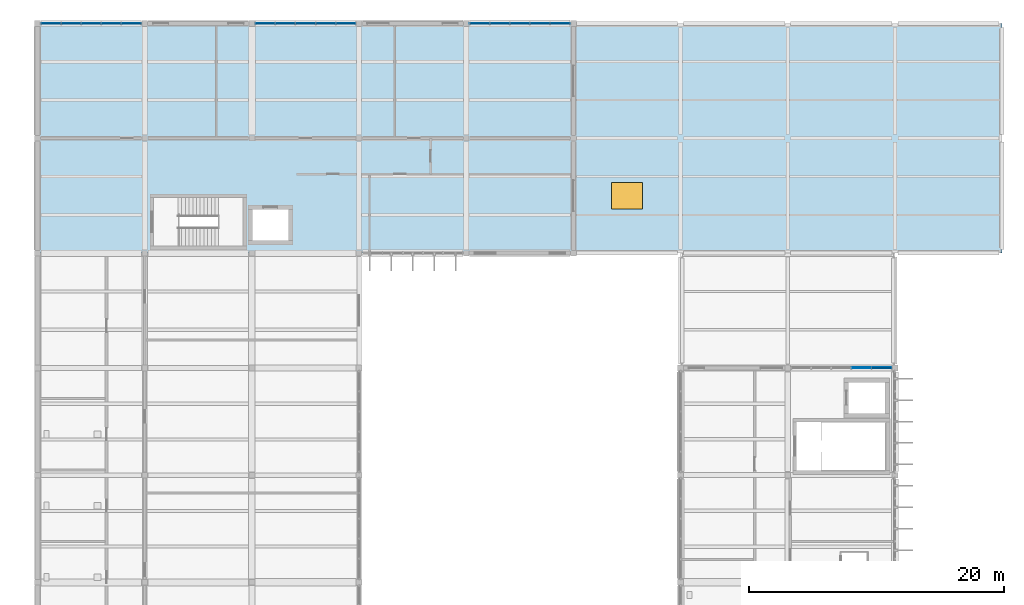
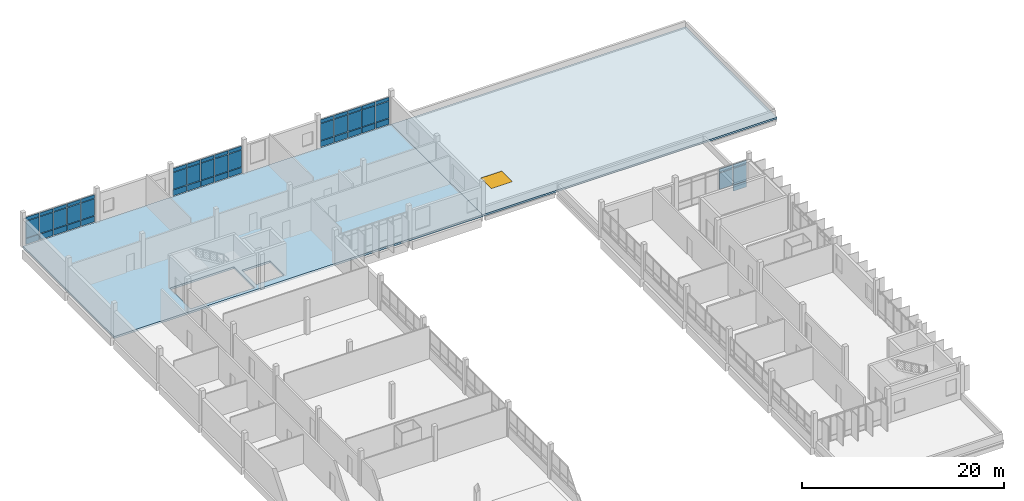
# One storey, part 48 of 62: 50 plates, 2 slabs, 1 window, 3 openings, 4 elements without a shape of their own.
"""IFC4 building model written with IfcOpenShell, lengths in metres."""

from ifc_helpers import new_model, si_unit, direction, frame, origin, origin_2d, place, context, subcontext, project, spatial, polyline, rectangle, outline, extrude, material, layer, layer_set, type_object, element, fill, aggregate, save


model = new_model("IFC4")

# Units and contexts
model_context = context("Model", 3, precision=1e-05, world=origin(), true_north=direction((0.0, 1.0)))
body_context = subcontext(model_context, "Body", "Model", "MODEL_VIEW")
ifc_project = project(units=[si_unit("LENGTHUNIT", "METRE"), si_unit("AREAUNIT", "SQUARE_METRE"), si_unit("VOLUMEUNIT", "CUBIC_METRE"), si_unit("PLANEANGLEUNIT", "RADIAN"), si_unit("MASSUNIT", "GRAM", prefix="KILO")], contexts=[model_context])

# Site, building, storey
site_placement = place(None, origin())
site = spatial("IfcSite", under=ifc_project, at=site_placement, CompositionType="ELEMENT")
building_placement = place(site_placement, origin())
building = spatial("IfcBuilding", under=site, at=building_placement, Name="Vireocrest Preparatory School", CompositionType="ELEMENT")
storey_placement = place(building_placement, frame((0.0, 0.0, 17.39990234375)))
storey = spatial("IfcBuildingStorey", under=building, at=storey_placement, Name="L04", CompositionType="ELEMENT", Elevation=17.39990234375)

# Curtain wall, plates
ifc_material_1 = material(Name="Thermally broken aluminium EN AW-6063-T6", Category="aluminium")
ifc_layer_1 = layer(ifc_material_1, 0.179931640625)
ifc_layer_set_1 = layer_set([ifc_layer_1], Name="Thermally broken aluminium EN AW-6063-T6")
curtain_wall_type_1 = type_object("IfcCurtainWallType", Name="North Street Curtain Wall 8400x4000", PredefinedType="USERDEFINED", material=ifc_layer_set_1)
curtain_wall_1_placement = place(storey_placement, origin())
curtain_wall_1 = element("IfcCurtainWall", 1, at=curtain_wall_1_placement, inside=storey, type_object=curtain_wall_type_1, Name="Curtain Wall CW05 CW_L04_CW05_0422_1128_174", ObjectType="CURTAIN WALL", PredefinedType="USERDEFINED")
ifc_material_2 = material(Name="Insulated triple low-e tempered safety glass", Category="glass")
ifc_layer_2 = layer(ifc_material_2, 0.074951171875)
ifc_layer_set_2 = layer_set([ifc_layer_2], Name="Insulated triple low-e tempered safety glass")
plate_type_1 = type_object("IfcPlateType", Name="Acoustic Triple-Glazed Lab Curtain Panel 75", PredefinedType="CURTAIN_PANEL", material=ifc_layer_set_2)
plate_1_placement = place(storey_placement, frame((43.048095703125, 112.800048828125, 0.8828125), z_axis=(0.0, 0.0, 1.0), x_axis=(1.0, 0.0, 0.0)))
plate_1 = element("IfcPlate", 2, at=plate_1_placement, type_object=plate_type_1, Name="CW Panel GL2 CW_L04_CW05_0422_1128_174-1-2", PredefinedType="CURTAIN_PANEL", context=body_context, shape_type="SweptSolid", body=[
    extrude(rectangle(XDim=1.510986328125, YDim=0.074951171875, at=origin_2d()), origin(), (0.0, 0.0, 1.0), 2.014892578125),
])
plate_2_placement = place(storey_placement, frame((43.048095703125, 112.800048828125, 2.96240234375), z_axis=(0.0, 0.0, 1.0), x_axis=(1.0, 0.0, 0.0)))
plate_2 = element("IfcPlate", 3, at=plate_2_placement, type_object=plate_type_1, Name="CW Panel GL2 CW_L04_CW05_0422_1128_174-1-3", PredefinedType="CURTAIN_PANEL", context=body_context, shape_type="SweptSolid", body=[
    extrude(rectangle(XDim=1.510986328125, YDim=0.074951171875, at=origin_2d()), origin(), (0.0, 0.0, 1.0), 0.409912109375),
])
plate_3_placement = place(storey_placement, frame((44.6240234375, 112.800048828125, 0.8828125), z_axis=(0.0, 0.0, 1.0), x_axis=(1.0, 0.0, 0.0)))
plate_3 = element("IfcPlate", 4, at=plate_3_placement, type_object=plate_type_1, Name="CW Panel GL2 CW_L04_CW05_0422_1128_174-2-2", PredefinedType="CURTAIN_PANEL", context=body_context, shape_type="SweptSolid", body=[
    extrude(rectangle(XDim=1.510986328125, YDim=0.074951171875, at=origin_2d()), origin(), (0.0, 0.0, 1.0), 2.014892578125),
])
plate_4_placement = place(storey_placement, frame((44.6240234375, 112.800048828125, 2.96240234375), z_axis=(0.0, 0.0, 1.0), x_axis=(1.0, 0.0, 0.0)))
plate_4 = element("IfcPlate", 5, at=plate_4_placement, type_object=plate_type_1, Name="CW Panel GL2 CW_L04_CW05_0422_1128_174-2-3", PredefinedType="CURTAIN_PANEL", context=body_context, shape_type="SweptSolid", body=[
    extrude(rectangle(XDim=1.510986328125, YDim=0.074951171875, at=origin_2d()), origin(), (0.0, 0.0, 1.0), 0.409912109375),
])
plate_5_placement = place(storey_placement, frame((46.199951171875, 112.800048828125, 0.8828125), z_axis=(0.0, 0.0, 1.0), x_axis=(1.0, 0.0, 0.0)))
plate_5 = element("IfcPlate", 6, at=plate_5_placement, type_object=plate_type_1, Name="CW Panel GL2 CW_L04_CW05_0422_1128_174-3-2", PredefinedType="CURTAIN_PANEL", context=body_context, shape_type="SweptSolid", body=[
    extrude(rectangle(XDim=1.510986328125, YDim=0.074951171875, at=origin_2d()), origin(), (0.0, 0.0, 1.0), 2.014892578125),
])
plate_6_placement = place(storey_placement, frame((46.199951171875, 112.800048828125, 2.96240234375), z_axis=(0.0, 0.0, 1.0), x_axis=(1.0, 0.0, 0.0)))
plate_6 = element("IfcPlate", 7, at=plate_6_placement, type_object=plate_type_1, Name="CW Panel GL2 CW_L04_CW05_0422_1128_174-3-3", PredefinedType="CURTAIN_PANEL", context=body_context, shape_type="SweptSolid", body=[
    extrude(rectangle(XDim=1.510986328125, YDim=0.074951171875, at=origin_2d()), origin(), (0.0, 0.0, 1.0), 0.409912109375),
])
plate_7_placement = place(storey_placement, frame((47.77587890625, 112.800048828125, 0.8828125), z_axis=(0.0, 0.0, 1.0), x_axis=(1.0, 0.0, 0.0)))
plate_7 = element("IfcPlate", 8, at=plate_7_placement, type_object=plate_type_1, Name="CW Panel GL2 CW_L04_CW05_0422_1128_174-4-2", PredefinedType="CURTAIN_PANEL", context=body_context, shape_type="SweptSolid", body=[
    extrude(rectangle(XDim=1.510986328125, YDim=0.074951171875, at=origin_2d()), origin(), (0.0, 0.0, 1.0), 2.014892578125),
])
plate_8_placement = place(storey_placement, frame((47.77587890625, 112.800048828125, 2.96240234375), z_axis=(0.0, 0.0, 1.0), x_axis=(1.0, 0.0, 0.0)))
plate_8 = element("IfcPlate", 9, at=plate_8_placement, type_object=plate_type_1, Name="CW Panel GL2 CW_L04_CW05_0422_1128_174-4-3", PredefinedType="CURTAIN_PANEL", context=body_context, shape_type="SweptSolid", body=[
    extrude(rectangle(XDim=1.510986328125, YDim=0.074951171875, at=origin_2d()), origin(), (0.0, 0.0, 1.0), 0.409912109375),
])
plate_9_placement = place(storey_placement, frame((49.35205078125, 112.800048828125, 0.8828125), z_axis=(0.0, 0.0, 1.0), x_axis=(1.0, 0.0, 0.0)))
plate_9 = element("IfcPlate", 10, at=plate_9_placement, type_object=plate_type_1, Name="CW Panel GL2 CW_L04_CW05_0422_1128_174-5-2", PredefinedType="CURTAIN_PANEL", context=body_context, shape_type="SweptSolid", body=[
    extrude(rectangle(XDim=1.510986328125, YDim=0.074951171875, at=origin_2d()), origin(), (0.0, 0.0, 1.0), 2.014892578125),
])
plate_10_placement = place(storey_placement, frame((49.35205078125, 112.800048828125, 2.96240234375), z_axis=(0.0, 0.0, 1.0), x_axis=(1.0, 0.0, 0.0)))
plate_10 = element("IfcPlate", 11, at=plate_10_placement, type_object=plate_type_1, Name="CW Panel GL2 CW_L04_CW05_0422_1128_174-5-3", PredefinedType="CURTAIN_PANEL", context=body_context, shape_type="SweptSolid", body=[
    extrude(rectangle(XDim=1.510986328125, YDim=0.074951171875, at=origin_2d()), origin(), (0.0, 0.0, 1.0), 0.409912109375),
])

curtain_wall_2_placement = place(storey_placement, origin())
curtain_wall_2 = element("IfcCurtainWall", 12, at=curtain_wall_2_placement, inside=storey, type_object=curtain_wall_type_1, Name="Curtain Wall CW05 CW_L04_CW05_0590_1128_174", ObjectType="CURTAIN WALL", PredefinedType="USERDEFINED")
plate_11_placement = place(storey_placement, frame((59.847900390625, 112.800048828125, 0.8828125), z_axis=(0.0, 0.0, 1.0), x_axis=(1.0, 0.0, 0.0)))
plate_11 = element("IfcPlate", 13, at=plate_11_placement, type_object=plate_type_1, Name="CW Panel GL2 CW_L04_CW05_0590_1128_174-1-2", PredefinedType="CURTAIN_PANEL", context=body_context, shape_type="SweptSolid", body=[
    extrude(rectangle(XDim=1.510986328125, YDim=0.074951171875, at=origin_2d()), origin(), (0.0, 0.0, 1.0), 2.014892578125),
])
plate_12_placement = place(storey_placement, frame((59.847900390625, 112.800048828125, 2.96240234375), z_axis=(0.0, 0.0, 1.0), x_axis=(1.0, 0.0, 0.0)))
plate_12 = element("IfcPlate", 14, at=plate_12_placement, type_object=plate_type_1, Name="CW Panel GL2 CW_L04_CW05_0590_1128_174-1-3", PredefinedType="CURTAIN_PANEL", context=body_context, shape_type="SweptSolid", body=[
    extrude(rectangle(XDim=1.510986328125, YDim=0.074951171875, at=origin_2d()), origin(), (0.0, 0.0, 1.0), 0.409912109375),
])
plate_13_placement = place(storey_placement, frame((61.424072265625, 112.800048828125, 0.8828125), z_axis=(0.0, 0.0, 1.0), x_axis=(1.0, 0.0, 0.0)))
plate_13 = element("IfcPlate", 15, at=plate_13_placement, type_object=plate_type_1, Name="CW Panel GL2 CW_L04_CW05_0590_1128_174-2-2", PredefinedType="CURTAIN_PANEL", context=body_context, shape_type="SweptSolid", body=[
    extrude(rectangle(XDim=1.510986328125, YDim=0.074951171875, at=origin_2d()), origin(), (0.0, 0.0, 1.0), 2.014892578125),
])
plate_14_placement = place(storey_placement, frame((61.424072265625, 112.800048828125, 2.96240234375), z_axis=(0.0, 0.0, 1.0), x_axis=(1.0, 0.0, 0.0)))
plate_14 = element("IfcPlate", 16, at=plate_14_placement, type_object=plate_type_1, Name="CW Panel GL2 CW_L04_CW05_0590_1128_174-2-3", PredefinedType="CURTAIN_PANEL", context=body_context, shape_type="SweptSolid", body=[
    extrude(rectangle(XDim=1.510986328125, YDim=0.074951171875, at=origin_2d()), origin(), (0.0, 0.0, 1.0), 0.409912109375),
])
plate_15_placement = place(storey_placement, frame((63.0, 112.800048828125, 0.8828125), z_axis=(0.0, 0.0, 1.0), x_axis=(1.0, 0.0, 0.0)))
plate_15 = element("IfcPlate", 17, at=plate_15_placement, type_object=plate_type_1, Name="CW Panel GL2 CW_L04_CW05_0590_1128_174-3-2", PredefinedType="CURTAIN_PANEL", context=body_context, shape_type="SweptSolid", body=[
    extrude(rectangle(XDim=1.510986328125, YDim=0.074951171875, at=origin_2d()), origin(), (0.0, 0.0, 1.0), 2.014892578125),
])
plate_16_placement = place(storey_placement, frame((63.0, 112.800048828125, 2.96240234375), z_axis=(0.0, 0.0, 1.0), x_axis=(1.0, 0.0, 0.0)))
plate_16 = element("IfcPlate", 18, at=plate_16_placement, type_object=plate_type_1, Name="CW Panel GL2 CW_L04_CW05_0590_1128_174-3-3", PredefinedType="CURTAIN_PANEL", context=body_context, shape_type="SweptSolid", body=[
    extrude(rectangle(XDim=1.510986328125, YDim=0.074951171875, at=origin_2d()), origin(), (0.0, 0.0, 1.0), 0.409912109375),
])
plate_17_placement = place(storey_placement, frame((64.575927734375, 112.800048828125, 0.8828125), z_axis=(0.0, 0.0, 1.0), x_axis=(1.0, 0.0, 0.0)))
plate_17 = element("IfcPlate", 19, at=plate_17_placement, type_object=plate_type_1, Name="CW Panel GL2 CW_L04_CW05_0590_1128_174-4-2", PredefinedType="CURTAIN_PANEL", context=body_context, shape_type="SweptSolid", body=[
    extrude(rectangle(XDim=1.510986328125, YDim=0.074951171875, at=origin_2d()), origin(), (0.0, 0.0, 1.0), 2.014892578125),
])
plate_18_placement = place(storey_placement, frame((64.575927734375, 112.800048828125, 2.96240234375), z_axis=(0.0, 0.0, 1.0), x_axis=(1.0, 0.0, 0.0)))
plate_18 = element("IfcPlate", 20, at=plate_18_placement, type_object=plate_type_1, Name="CW Panel GL2 CW_L04_CW05_0590_1128_174-4-3", PredefinedType="CURTAIN_PANEL", context=body_context, shape_type="SweptSolid", body=[
    extrude(rectangle(XDim=1.510986328125, YDim=0.074951171875, at=origin_2d()), origin(), (0.0, 0.0, 1.0), 0.409912109375),
])
plate_19_placement = place(storey_placement, frame((66.152099609375, 112.800048828125, 0.8828125), z_axis=(0.0, 0.0, 1.0), x_axis=(1.0, 0.0, 0.0)))
plate_19 = element("IfcPlate", 21, at=plate_19_placement, type_object=plate_type_1, Name="CW Panel GL2 CW_L04_CW05_0590_1128_174-5-2", PredefinedType="CURTAIN_PANEL", context=body_context, shape_type="SweptSolid", body=[
    extrude(rectangle(XDim=1.510986328125, YDim=0.074951171875, at=origin_2d()), origin(), (0.0, 0.0, 1.0), 2.014892578125),
])
plate_20_placement = place(storey_placement, frame((66.152099609375, 112.800048828125, 2.96240234375), z_axis=(0.0, 0.0, 1.0), x_axis=(1.0, 0.0, 0.0)))
plate_20 = element("IfcPlate", 22, at=plate_20_placement, type_object=plate_type_1, Name="CW Panel GL2 CW_L04_CW05_0590_1128_174-5-3", PredefinedType="CURTAIN_PANEL", context=body_context, shape_type="SweptSolid", body=[
    extrude(rectangle(XDim=1.510986328125, YDim=0.074951171875, at=origin_2d()), origin(), (0.0, 0.0, 1.0), 0.409912109375),
])

curtain_wall_3_placement = place(storey_placement, origin())
curtain_wall_3 = element("IfcCurtainWall", 23, at=curtain_wall_3_placement, inside=storey, type_object=curtain_wall_type_1, Name="Curtain Wall CW05 CW_L04_CW05_0758_1128_174", ObjectType="CURTAIN WALL", PredefinedType="USERDEFINED")
plate_21_placement = place(storey_placement, frame((76.64794921875, 112.800048828125, 0.8828125), z_axis=(0.0, 0.0, 1.0), x_axis=(1.0, 0.0, 0.0)))
plate_21 = element("IfcPlate", 24, at=plate_21_placement, type_object=plate_type_1, Name="CW Panel GL2 CW_L04_CW05_0758_1128_174-1-2", PredefinedType="CURTAIN_PANEL", context=body_context, shape_type="SweptSolid", body=[
    extrude(rectangle(XDim=1.510986328125, YDim=0.074951171875, at=origin_2d()), origin(), (0.0, 0.0, 1.0), 2.014892578125),
])
plate_22_placement = place(storey_placement, frame((76.64794921875, 112.800048828125, 2.96240234375), z_axis=(0.0, 0.0, 1.0), x_axis=(1.0, 0.0, 0.0)))
plate_22 = element("IfcPlate", 25, at=plate_22_placement, type_object=plate_type_1, Name="CW Panel GL2 CW_L04_CW05_0758_1128_174-1-3", PredefinedType="CURTAIN_PANEL", context=body_context, shape_type="SweptSolid", body=[
    extrude(rectangle(XDim=1.510986328125, YDim=0.074951171875, at=origin_2d()), origin(), (0.0, 0.0, 1.0), 0.409912109375),
])
plate_23_placement = place(storey_placement, frame((78.22412109375, 112.800048828125, 0.8828125), z_axis=(0.0, 0.0, 1.0), x_axis=(1.0, 0.0, 0.0)))
plate_23 = element("IfcPlate", 26, at=plate_23_placement, type_object=plate_type_1, Name="CW Panel GL2 CW_L04_CW05_0758_1128_174-2-2", PredefinedType="CURTAIN_PANEL", context=body_context, shape_type="SweptSolid", body=[
    extrude(rectangle(XDim=1.510986328125, YDim=0.074951171875, at=origin_2d()), origin(), (0.0, 0.0, 1.0), 2.014892578125),
])
plate_24_placement = place(storey_placement, frame((78.22412109375, 112.800048828125, 2.96240234375), z_axis=(0.0, 0.0, 1.0), x_axis=(1.0, 0.0, 0.0)))
plate_24 = element("IfcPlate", 27, at=plate_24_placement, type_object=plate_type_1, Name="CW Panel GL2 CW_L04_CW05_0758_1128_174-2-3", PredefinedType="CURTAIN_PANEL", context=body_context, shape_type="SweptSolid", body=[
    extrude(rectangle(XDim=1.510986328125, YDim=0.074951171875, at=origin_2d()), origin(), (0.0, 0.0, 1.0), 0.409912109375),
])
plate_25_placement = place(storey_placement, frame((79.800048828125, 112.800048828125, 0.8828125), z_axis=(0.0, 0.0, 1.0), x_axis=(1.0, 0.0, 0.0)))
plate_25 = element("IfcPlate", 28, at=plate_25_placement, type_object=plate_type_1, Name="CW Panel GL2 CW_L04_CW05_0758_1128_174-3-2", PredefinedType="CURTAIN_PANEL", context=body_context, shape_type="SweptSolid", body=[
    extrude(rectangle(XDim=1.510986328125, YDim=0.074951171875, at=origin_2d()), origin(), (0.0, 0.0, 1.0), 2.014892578125),
])
plate_26_placement = place(storey_placement, frame((79.800048828125, 112.800048828125, 2.96240234375), z_axis=(0.0, 0.0, 1.0), x_axis=(1.0, 0.0, 0.0)))
plate_26 = element("IfcPlate", 29, at=plate_26_placement, type_object=plate_type_1, Name="CW Panel GL2 CW_L04_CW05_0758_1128_174-3-3", PredefinedType="CURTAIN_PANEL", context=body_context, shape_type="SweptSolid", body=[
    extrude(rectangle(XDim=1.510986328125, YDim=0.074951171875, at=origin_2d()), origin(), (0.0, 0.0, 1.0), 0.409912109375),
])
plate_27_placement = place(storey_placement, frame((81.3759765625, 112.800048828125, 0.8828125), z_axis=(0.0, 0.0, 1.0), x_axis=(1.0, 0.0, 0.0)))
plate_27 = element("IfcPlate", 30, at=plate_27_placement, type_object=plate_type_1, Name="CW Panel GL2 CW_L04_CW05_0758_1128_174-4-2", PredefinedType="CURTAIN_PANEL", context=body_context, shape_type="SweptSolid", body=[
    extrude(rectangle(XDim=1.510986328125, YDim=0.074951171875, at=origin_2d()), origin(), (0.0, 0.0, 1.0), 2.014892578125),
])
plate_28_placement = place(storey_placement, frame((81.3759765625, 112.800048828125, 2.96240234375), z_axis=(0.0, 0.0, 1.0), x_axis=(1.0, 0.0, 0.0)))
plate_28 = element("IfcPlate", 31, at=plate_28_placement, type_object=plate_type_1, Name="CW Panel GL2 CW_L04_CW05_0758_1128_174-4-3", PredefinedType="CURTAIN_PANEL", context=body_context, shape_type="SweptSolid", body=[
    extrude(rectangle(XDim=1.510986328125, YDim=0.074951171875, at=origin_2d()), origin(), (0.0, 0.0, 1.0), 0.409912109375),
])
plate_29_placement = place(storey_placement, frame((82.951904296875, 112.800048828125, 0.8828125), z_axis=(0.0, 0.0, 1.0), x_axis=(1.0, 0.0, 0.0)))
plate_29 = element("IfcPlate", 32, at=plate_29_placement, type_object=plate_type_1, Name="CW Panel GL2 CW_L04_CW05_0758_1128_174-5-2", PredefinedType="CURTAIN_PANEL", context=body_context, shape_type="SweptSolid", body=[
    extrude(rectangle(XDim=1.510986328125, YDim=0.074951171875, at=origin_2d()), origin(), (0.0, 0.0, 1.0), 2.014892578125),
])
plate_30_placement = place(storey_placement, frame((82.951904296875, 112.800048828125, 2.96240234375), z_axis=(0.0, 0.0, 1.0), x_axis=(1.0, 0.0, 0.0)))
plate_30 = element("IfcPlate", 33, at=plate_30_placement, type_object=plate_type_1, Name="CW Panel GL2 CW_L04_CW05_0758_1128_174-5-3", PredefinedType="CURTAIN_PANEL", context=body_context, shape_type="SweptSolid", body=[
    extrude(rectangle(XDim=1.510986328125, YDim=0.074951171875, at=origin_2d()), origin(), (0.0, 0.0, 1.0), 0.409912109375),
])

ifc_layer_3 = layer(ifc_material_1, 0.179931640625)
ifc_layer_set_3 = layer_set([ifc_layer_3], Name="Thermally broken aluminium EN AW-6063-T6")
curtain_wall_type_2 = type_object("IfcCurtainWallType", Name="Stair Core Daylit Strip 4200x4200", PredefinedType="USERDEFINED", material=ifc_layer_set_3)
curtain_wall_4_placement = place(storey_placement, origin())
curtain_wall_4 = element("IfcCurtainWall", 34, at=curtain_wall_4_placement, inside=storey, type_object=curtain_wall_type_2, Name="Curtain Wall CW18 CW_L04_CW18_1010_0858_174", ObjectType="CURTAIN WALL", PredefinedType="USERDEFINED")
plate_31_placement = place(storey_placement, frame((106.575927734375, 85.800048828125, 0.88232421875), z_axis=(0.0, 0.0, 1.0), x_axis=(1.0, 0.0, 0.0)))
plate_31 = element("IfcPlate", 35, at=plate_31_placement, type_object=plate_type_1, Name="CW Panel GL2 CW_L04_CW18_1010_0858_174-4-2", PredefinedType="CURTAIN_PANEL", context=body_context, shape_type="SweptSolid", body=[
    extrude(rectangle(XDim=1.510986328125, YDim=0.074951171875, at=origin_2d()), origin(), (0.0, 0.0, 1.0), 1.965087890625),
])
plate_32_placement = place(storey_placement, frame((106.575927734375, 85.800048828125, 2.91259765625), z_axis=(0.0, 0.0, 1.0), x_axis=(1.0, 0.0, 0.0)))
plate_32 = element("IfcPlate", 36, at=plate_32_placement, type_object=plate_type_1, Name="CW Panel GL2 CW_L04_CW18_1010_0858_174-4-3", PredefinedType="CURTAIN_PANEL", context=body_context, shape_type="SweptSolid", body=[
    extrude(rectangle(XDim=1.510986328125, YDim=0.074951171875, at=origin_2d()), origin(), (0.0, 0.0, 1.0), 0.409912109375),
])
plate_33_placement = place(storey_placement, frame((108.152099609375, 85.800048828125, 0.88232421875), z_axis=(0.0, 0.0, 1.0), x_axis=(1.0, 0.0, 0.0)))
plate_33 = element("IfcPlate", 37, at=plate_33_placement, type_object=plate_type_1, Name="CW Panel GL2 CW_L04_CW18_1010_0858_174-5-2", PredefinedType="CURTAIN_PANEL", context=body_context, shape_type="SweptSolid", body=[
    extrude(rectangle(XDim=1.510986328125, YDim=0.074951171875, at=origin_2d()), origin(), (0.0, 0.0, 1.0), 1.965087890625),
])
plate_34_placement = place(storey_placement, frame((108.152099609375, 85.800048828125, 2.91259765625), z_axis=(0.0, 0.0, 1.0), x_axis=(1.0, 0.0, 0.0)))
plate_34 = element("IfcPlate", 38, at=plate_34_placement, type_object=plate_type_1, Name="CW Panel GL2 CW_L04_CW18_1010_0858_174-5-3", PredefinedType="CURTAIN_PANEL", context=body_context, shape_type="SweptSolid", body=[
    extrude(rectangle(XDim=1.510986328125, YDim=0.074951171875, at=origin_2d()), origin(), (0.0, 0.0, 1.0), 0.409912109375),
])

# Slab, openings
ifc_material_3 = material(Name="Concrete 40 MPa", Category="concrete")
ifc_layer_4 = layer(ifc_material_3, 0.239990234375)
ifc_layer_set_4 = layer_set([ifc_layer_4], Name="Concrete 40 MPa")
slab_type_1 = type_object("IfcSlabType", Name="Classroom Suspended RC Floor Slab 240", PredefinedType="FLOOR", material=ifc_layer_set_4)
slab_1_placement = place(storey_placement, frame((0.0, 0.0, -0.239990234375)))
slab_1 = element("IfcSlab", 39, at=slab_1_placement, inside=storey, type_object=slab_type_1, Name="Slab L04_NORTH_WEST", PredefinedType="FLOOR", context=body_context, shape_type="SweptSolid", body=[
    extrude(outline(polyline([(42.0, 94.800048828125), (84.0, 94.800048828125), (84.0, 112.800048828125), (42.0, 112.800048828125), (42.0, 94.800048828125)])), origin(), (0.0, 0.0, 1.0), 0.239990234375),
])
opening_1_placement = place(slab_1_placement, frame((0.0, 0.0, -0.010009765625)))
element("IfcOpeningElement", 40, at=opening_1_placement, cuts=slab_1, Name="Slab Opening SLAB_L04_NORTH_WEST-1", PredefinedType="OPENING", context=body_context, shape_type="SweptSolid", body=[
    extrude(outline(polyline([(50.949951171875, 95.199951171875), (58.25, 95.199951171875), (58.25, 99.300048828125), (50.949951171875, 99.300048828125), (50.949951171875, 95.199951171875)])), origin(), (0.0, 0.0, 1.0), 0.260009765625),
])
opening_2_placement = place(slab_1_placement, frame((0.0, 0.0, -0.010009765625)))
element("IfcOpeningElement", 41, at=opening_2_placement, cuts=slab_1, Name="Slab Opening SLAB_L04_NORTH_WEST-2", PredefinedType="OPENING", context=body_context, shape_type="SweptSolid", body=[
    extrude(outline(polyline([(58.64990234375, 95.60009765625), (61.85009765625, 95.60009765625), (61.85009765625, 98.39990234375), (58.64990234375, 98.39990234375), (58.64990234375, 95.60009765625)])), origin(), (0.0, 0.0, 1.0), 0.260009765625),
])

# Slab, opening, window
ifc_layer_5 = layer(ifc_material_3, 0.219970703125)
ifc_layer_set_5 = layer_set([ifc_layer_5], Name="Concrete 40 MPa")
slab_type_2 = type_object("IfcSlabType", Name="Insulated Flat Concrete Roof Slab 220", PredefinedType="ROOF", material=ifc_layer_set_5)
slab_2_placement = place(storey_placement, frame((0.0, 0.0, -0.219970703125)))
slab_2 = element("IfcSlab", 42, at=slab_2_placement, inside=storey, type_object=slab_type_2, Name="Slab L04_NORTH_EAST_ROOF", PredefinedType="ROOF", context=body_context, shape_type="SweptSolid", body=[
    extrude(outline(polyline([(84.0, 94.800048828125), (117.60009765625, 94.800048828125), (117.60009765625, 112.800048828125), (84.0, 112.800048828125), (84.0, 94.800048828125)])), origin(), (0.0, 0.0, 1.0), 0.219970703125),
])
opening_3_placement = place(slab_2_placement, frame((88.199951171875, 99.300048828125, -0.010009765625)))
opening_3 = element("IfcOpeningElement", 43, at=opening_3_placement, cuts=slab_2, Name="Opening SK04", PredefinedType="OPENING", context=body_context, shape_type="SweptSolid", body=[
    extrude(rectangle(XDim=2.39990234375, YDim=2.10009765625, at=origin_2d()), origin(), (0.0, 0.0, 1.0), 0.239990234375),
])
ifc_material_4 = material(Name="Tempered solar-control skylight glass", Category="glass")
window_type = type_object("IfcWindowType", Name="Library Reading Skylight 2400x2100", PartitioningType="SINGLE_PANEL", PredefinedType="SKYLIGHT", material=ifc_material_4)
window_placement = place(opening_3_placement, frame((0.0, 0.0, 0.179931640625)))
window = element("IfcWindow", 44, at=window_placement, inside=storey, type_object=window_type, Name="Roof Skylight SK04-05", OverallHeight=2.10009765625, OverallWidth=2.39990234375, PartitioningType="SINGLE_PANEL", PredefinedType="SKYLIGHT", context=body_context, shape_type="SweptSolid", body=[
    extrude(rectangle(XDim=2.39990234375, YDim=2.10009765625, at=origin_2d()), origin(), (0.0, 0.0, 1.0), 0.050048828125),
])
fill(opening_3, window)

# Plate
ifc_material_5 = material(Name="Painted white aluminium cladding EN AW-6063-T6", Category="aluminium")
ifc_layer_6 = layer(ifc_material_5, 0.114990234375)
ifc_layer_set_6 = layer_set([ifc_layer_6], Name="Painted white aluminium cladding EN AW-6063-T6")
plate_type_2 = type_object("IfcPlateType", Name="Insulated White Spandrel Curtain Panel 115", PredefinedType="CURTAIN_PANEL", material=ifc_layer_set_6)
plate_35_placement = place(storey_placement, frame((43.048095703125, 112.800048828125, 0.127685546875), z_axis=(0.0, 0.0, 1.0), x_axis=(1.0, 0.0, 0.0)))
plate_35 = element("IfcPlate", 45, at=plate_35_placement, type_object=plate_type_2, Name="CW Panel SP2 CW_L04_CW05_0422_1128_174-1-1", PredefinedType="CURTAIN_PANEL", context=body_context, shape_type="SweptSolid", body=[
    extrude(rectangle(XDim=1.510986328125, YDim=0.114990234375, at=origin_2d()), origin(), (0.0, 0.0, 1.0), 0.68994140625),
])

plate_36_placement = place(storey_placement, frame((44.6240234375, 112.800048828125, 0.127685546875), z_axis=(0.0, 0.0, 1.0), x_axis=(1.0, 0.0, 0.0)))
plate_36 = element("IfcPlate", 46, at=plate_36_placement, type_object=plate_type_2, Name="CW Panel SP2 CW_L04_CW05_0422_1128_174-2-1", PredefinedType="CURTAIN_PANEL", context=body_context, shape_type="SweptSolid", body=[
    extrude(rectangle(XDim=1.510986328125, YDim=0.114990234375, at=origin_2d()), origin(), (0.0, 0.0, 1.0), 0.68994140625),
])

plate_37_placement = place(storey_placement, frame((46.199951171875, 112.800048828125, 0.127685546875), z_axis=(0.0, 0.0, 1.0), x_axis=(1.0, 0.0, 0.0)))
plate_37 = element("IfcPlate", 47, at=plate_37_placement, type_object=plate_type_2, Name="CW Panel SP2 CW_L04_CW05_0422_1128_174-3-1", PredefinedType="CURTAIN_PANEL", context=body_context, shape_type="SweptSolid", body=[
    extrude(rectangle(XDim=1.510986328125, YDim=0.114990234375, at=origin_2d()), origin(), (0.0, 0.0, 1.0), 0.68994140625),
])

plate_38_placement = place(storey_placement, frame((47.77587890625, 112.800048828125, 0.127685546875), z_axis=(0.0, 0.0, 1.0), x_axis=(1.0, 0.0, 0.0)))
plate_38 = element("IfcPlate", 48, at=plate_38_placement, type_object=plate_type_2, Name="CW Panel SP2 CW_L04_CW05_0422_1128_174-4-1", PredefinedType="CURTAIN_PANEL", context=body_context, shape_type="SweptSolid", body=[
    extrude(rectangle(XDim=1.510986328125, YDim=0.114990234375, at=origin_2d()), origin(), (0.0, 0.0, 1.0), 0.68994140625),
])

plate_39_placement = place(storey_placement, frame((49.35205078125, 112.800048828125, 0.127685546875), z_axis=(0.0, 0.0, 1.0), x_axis=(1.0, 0.0, 0.0)))
plate_39 = element("IfcPlate", 49, at=plate_39_placement, type_object=plate_type_2, Name="CW Panel SP2 CW_L04_CW05_0422_1128_174-5-1", PredefinedType="CURTAIN_PANEL", context=body_context, shape_type="SweptSolid", body=[
    extrude(rectangle(XDim=1.510986328125, YDim=0.114990234375, at=origin_2d()), origin(), (0.0, 0.0, 1.0), 0.68994140625),
])

aggregate(curtain_wall_1, [plate_35, plate_1, plate_2, plate_36, plate_3, plate_4, plate_37, plate_5, plate_6, plate_38, plate_7, plate_8, plate_39, plate_9, plate_10])

plate_40_placement = place(storey_placement, frame((59.847900390625, 112.800048828125, 0.127685546875), z_axis=(0.0, 0.0, 1.0), x_axis=(1.0, 0.0, 0.0)))
plate_40 = element("IfcPlate", 50, at=plate_40_placement, type_object=plate_type_2, Name="CW Panel SP2 CW_L04_CW05_0590_1128_174-1-1", PredefinedType="CURTAIN_PANEL", context=body_context, shape_type="SweptSolid", body=[
    extrude(rectangle(XDim=1.510986328125, YDim=0.114990234375, at=origin_2d()), origin(), (0.0, 0.0, 1.0), 0.68994140625),
])

plate_41_placement = place(storey_placement, frame((61.424072265625, 112.800048828125, 0.127685546875), z_axis=(0.0, 0.0, 1.0), x_axis=(1.0, 0.0, 0.0)))
plate_41 = element("IfcPlate", 51, at=plate_41_placement, type_object=plate_type_2, Name="CW Panel SP2 CW_L04_CW05_0590_1128_174-2-1", PredefinedType="CURTAIN_PANEL", context=body_context, shape_type="SweptSolid", body=[
    extrude(rectangle(XDim=1.510986328125, YDim=0.114990234375, at=origin_2d()), origin(), (0.0, 0.0, 1.0), 0.68994140625),
])

plate_42_placement = place(storey_placement, frame((63.0, 112.800048828125, 0.127685546875), z_axis=(0.0, 0.0, 1.0), x_axis=(1.0, 0.0, 0.0)))
plate_42 = element("IfcPlate", 52, at=plate_42_placement, type_object=plate_type_2, Name="CW Panel SP2 CW_L04_CW05_0590_1128_174-3-1", PredefinedType="CURTAIN_PANEL", context=body_context, shape_type="SweptSolid", body=[
    extrude(rectangle(XDim=1.510986328125, YDim=0.114990234375, at=origin_2d()), origin(), (0.0, 0.0, 1.0), 0.68994140625),
])

plate_43_placement = place(storey_placement, frame((64.575927734375, 112.800048828125, 0.127685546875), z_axis=(0.0, 0.0, 1.0), x_axis=(1.0, 0.0, 0.0)))
plate_43 = element("IfcPlate", 53, at=plate_43_placement, type_object=plate_type_2, Name="CW Panel SP2 CW_L04_CW05_0590_1128_174-4-1", PredefinedType="CURTAIN_PANEL", context=body_context, shape_type="SweptSolid", body=[
    extrude(rectangle(XDim=1.510986328125, YDim=0.114990234375, at=origin_2d()), origin(), (0.0, 0.0, 1.0), 0.68994140625),
])

plate_44_placement = place(storey_placement, frame((66.152099609375, 112.800048828125, 0.127685546875), z_axis=(0.0, 0.0, 1.0), x_axis=(1.0, 0.0, 0.0)))
plate_44 = element("IfcPlate", 54, at=plate_44_placement, type_object=plate_type_2, Name="CW Panel SP2 CW_L04_CW05_0590_1128_174-5-1", PredefinedType="CURTAIN_PANEL", context=body_context, shape_type="SweptSolid", body=[
    extrude(rectangle(XDim=1.510986328125, YDim=0.114990234375, at=origin_2d()), origin(), (0.0, 0.0, 1.0), 0.68994140625),
])

aggregate(curtain_wall_2, [plate_40, plate_11, plate_12, plate_41, plate_13, plate_14, plate_42, plate_15, plate_16, plate_43, plate_17, plate_18, plate_44, plate_19, plate_20])

plate_45_placement = place(storey_placement, frame((76.64794921875, 112.800048828125, 0.127685546875), z_axis=(0.0, 0.0, 1.0), x_axis=(1.0, 0.0, 0.0)))
plate_45 = element("IfcPlate", 55, at=plate_45_placement, type_object=plate_type_2, Name="CW Panel SP2 CW_L04_CW05_0758_1128_174-1-1", PredefinedType="CURTAIN_PANEL", context=body_context, shape_type="SweptSolid", body=[
    extrude(rectangle(XDim=1.510986328125, YDim=0.114990234375, at=origin_2d()), origin(), (0.0, 0.0, 1.0), 0.68994140625),
])

plate_46_placement = place(storey_placement, frame((78.22412109375, 112.800048828125, 0.127685546875), z_axis=(0.0, 0.0, 1.0), x_axis=(1.0, 0.0, 0.0)))
plate_46 = element("IfcPlate", 56, at=plate_46_placement, type_object=plate_type_2, Name="CW Panel SP2 CW_L04_CW05_0758_1128_174-2-1", PredefinedType="CURTAIN_PANEL", context=body_context, shape_type="SweptSolid", body=[
    extrude(rectangle(XDim=1.510986328125, YDim=0.114990234375, at=origin_2d()), origin(), (0.0, 0.0, 1.0), 0.68994140625),
])

plate_47_placement = place(storey_placement, frame((79.800048828125, 112.800048828125, 0.127685546875), z_axis=(0.0, 0.0, 1.0), x_axis=(1.0, 0.0, 0.0)))
plate_47 = element("IfcPlate", 57, at=plate_47_placement, type_object=plate_type_2, Name="CW Panel SP2 CW_L04_CW05_0758_1128_174-3-1", PredefinedType="CURTAIN_PANEL", context=body_context, shape_type="SweptSolid", body=[
    extrude(rectangle(XDim=1.510986328125, YDim=0.114990234375, at=origin_2d()), origin(), (0.0, 0.0, 1.0), 0.68994140625),
])

plate_48_placement = place(storey_placement, frame((81.3759765625, 112.800048828125, 0.127685546875), z_axis=(0.0, 0.0, 1.0), x_axis=(1.0, 0.0, 0.0)))
plate_48 = element("IfcPlate", 58, at=plate_48_placement, type_object=plate_type_2, Name="CW Panel SP2 CW_L04_CW05_0758_1128_174-4-1", PredefinedType="CURTAIN_PANEL", context=body_context, shape_type="SweptSolid", body=[
    extrude(rectangle(XDim=1.510986328125, YDim=0.114990234375, at=origin_2d()), origin(), (0.0, 0.0, 1.0), 0.68994140625),
])

plate_49_placement = place(storey_placement, frame((82.951904296875, 112.800048828125, 0.127685546875), z_axis=(0.0, 0.0, 1.0), x_axis=(1.0, 0.0, 0.0)))
plate_49 = element("IfcPlate", 59, at=plate_49_placement, type_object=plate_type_2, Name="CW Panel SP2 CW_L04_CW05_0758_1128_174-5-1", PredefinedType="CURTAIN_PANEL", context=body_context, shape_type="SweptSolid", body=[
    extrude(rectangle(XDim=1.510986328125, YDim=0.114990234375, at=origin_2d()), origin(), (0.0, 0.0, 1.0), 0.68994140625),
])

aggregate(curtain_wall_3, [plate_45, plate_21, plate_22, plate_46, plate_23, plate_24, plate_47, plate_25, plate_26, plate_48, plate_27, plate_28, plate_49, plate_29, plate_30])

plate_50_placement = place(storey_placement, frame((108.152099609375, 85.800048828125, 0.127685546875), z_axis=(0.0, 0.0, 1.0), x_axis=(1.0, 0.0, 0.0)))
plate_50 = element("IfcPlate", 60, at=plate_50_placement, type_object=plate_type_2, Name="CW Panel SP2 CW_L04_CW18_1010_0858_174-5-1", PredefinedType="CURTAIN_PANEL", context=body_context, shape_type="SweptSolid", body=[
    extrude(rectangle(XDim=1.510986328125, YDim=0.114990234375, at=origin_2d()), origin(), (0.0, 0.0, 1.0), 0.68994140625),
])

aggregate(curtain_wall_4, [plate_31, plate_32, plate_50, plate_33, plate_34])

save(model, "model.ifc")
